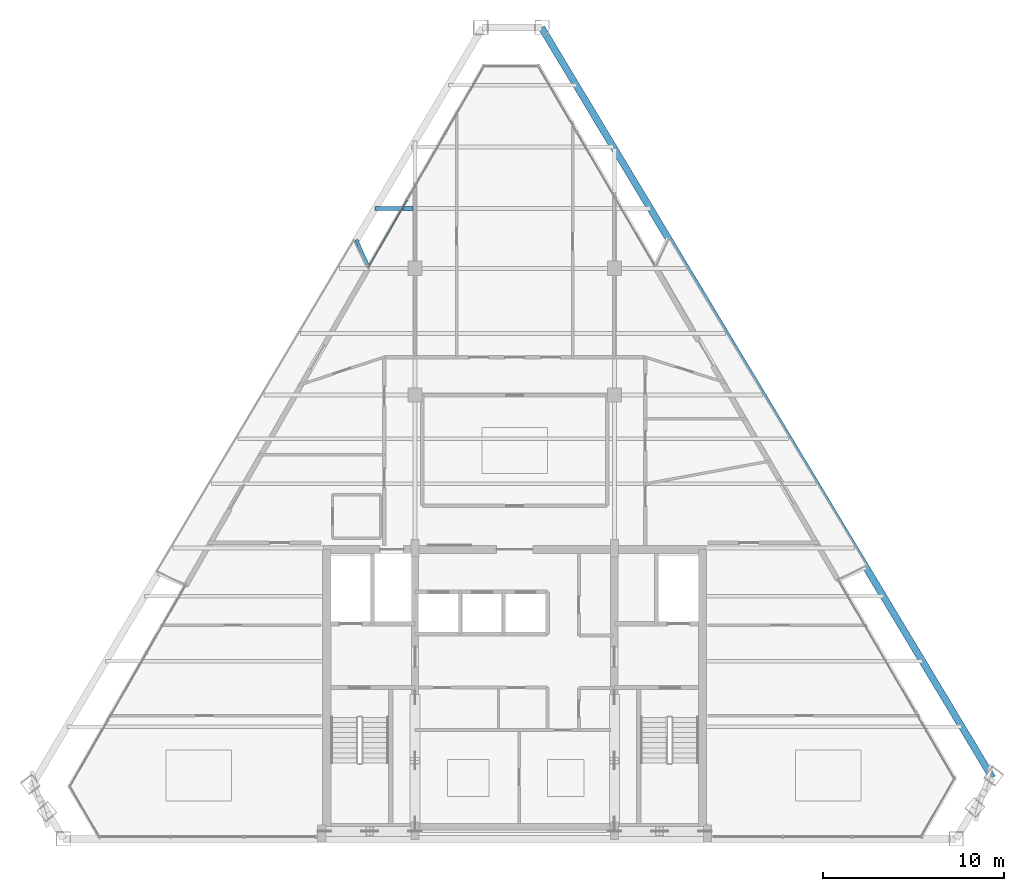
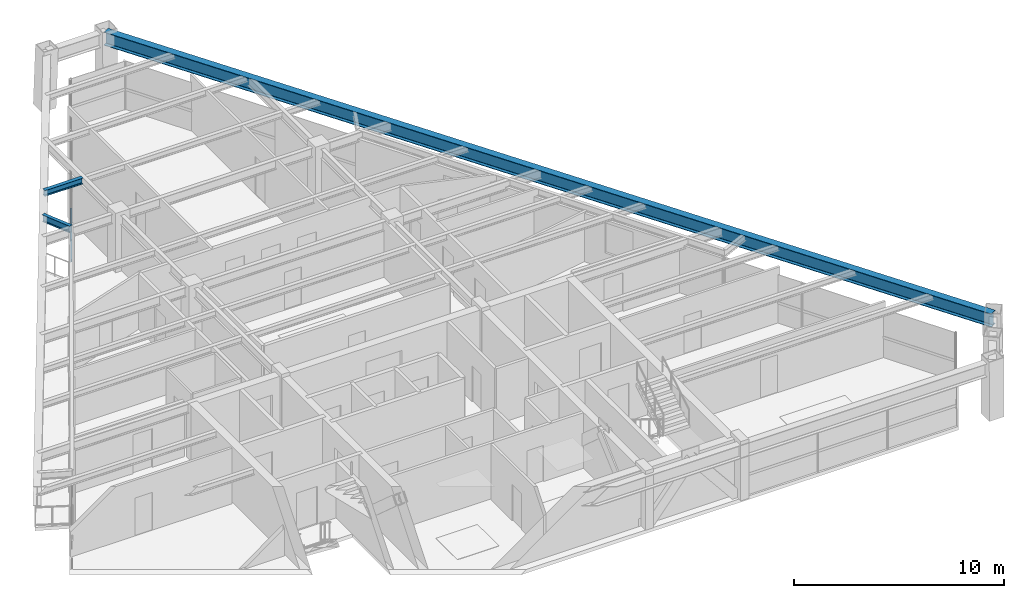
# One storey, part 6 of 13: 3 beams, 1 member, 1 element without a shape of its own.
"""IFC4 building model written with IfcOpenShell, lengths in metres."""

from ifc_helpers import new_model, si_unit, direction, frame, origin, origin_2d, place, context, subcontext, project, spatial, rectangle, i_section, extrude, source, transform, mapped, material, material_profile, profile_set, type_object, element, aggregate, save


model = new_model("IFC4")

# Units and contexts
model_context = context("Model", 3, precision=1e-05, world=origin(), true_north=direction((0.0, 1.0)))
body_context = subcontext(model_context, "Body", "Model", "MODEL_VIEW")
ifc_project = project(units=[si_unit("LENGTHUNIT", "METRE"), si_unit("AREAUNIT", "SQUARE_METRE"), si_unit("VOLUMEUNIT", "CUBIC_METRE"), si_unit("PLANEANGLEUNIT", "RADIAN"), si_unit("MASSUNIT", "GRAM", prefix="KILO")], contexts=[model_context])

# Site, building, storey
site_placement = place(None, origin())
site = spatial("IfcSite", under=ifc_project, at=site_placement, CompositionType="ELEMENT")
building_placement = place(site_placement, origin())
building = spatial("IfcBuilding", under=site, at=building_placement, Name="Varnakhor Terracotta Tower", CompositionType="ELEMENT")
storey_placement = place(building_placement, frame((0.0, 0.0, 286.800048828125)))
storey = spatial("IfcBuildingStorey", under=building, at=storey_placement, Name="L75", CompositionType="ELEMENT", Elevation=286.800048828125)

# Beams
ifc_material_1 = material(Name="Steel S355", Category="steel")
ifc_material_profile_1 = material_profile(ifc_material_1, i_section(OverallWidth=0.381103515625, OverallDepth=0.77294921875, WebThickness=0.01708984375, FlangeThickness=0.027099609375, FilletRadius=0.01806640625, at=origin_2d()), Name="W30X173")
ifc_profile_set_1 = profile_set([ifc_material_profile_1], Name="Steel S355")
beam_type_1 = type_object("IfcBeamType", Name="BM-W30X173", PredefinedType="BEAM", material=ifc_profile_set_1)
shared_shape_1 = source(origin(), body_context, "Body", "SweptSolid", [
    extrude(i_section(OverallWidth=0.381103515625, OverallDepth=0.77294921875, WebThickness=0.01708984375, FlangeThickness=0.027099609375, FilletRadius=0.01806640625, at=origin_2d()), origin(), (0.0, 0.0, 1.0), 48.318603515625),
])
beam_1_placement = place(storey_placement, frame((26.37353515625, 3.3798828125, 2.853515625), z_axis=(-0.515191822732, 0.857074900922, 0.0), x_axis=(-0.857074900922, -0.515191822732, 0.0)))
element("IfcBeam", 1, at=beam_1_placement, inside=storey, type_object=beam_type_1, Name="L75 Perimeter Spandrel 4", PredefinedType="BEAM", context=body_context, shape_type="MappedRepresentation", body=[
    mapped(shared_shape_1, transform((0.0, 0.0, 0.0), scale=1.0)),
])
ifc_material_profile_2 = material_profile(ifc_material_1, i_section(OverallWidth=0.202880859375, OverallDepth=0.346923828125, WebThickness=0.0078125, FlangeThickness=0.013427734375, FilletRadius=0.01806640625, at=origin_2d()), Name="W14X43")
ifc_profile_set_2 = profile_set([ifc_material_profile_2], Name="Steel S355")
beam_type_2 = type_object("IfcBeamType", Name="JST-W14X43", PredefinedType="JOIST", material=ifc_profile_set_2)
shared_shape_2 = source(origin(), body_context, "Body", "SweptSolid", [
    extrude(i_section(OverallWidth=0.202880859375, OverallDepth=0.346923828125, WebThickness=0.0078125, FlangeThickness=0.013427734375, FilletRadius=0.01806640625, at=origin_2d()), origin(), (0.0, 0.0, 1.0), 2.1083984375),
])
beam_2_placement = place(storey_placement, frame((-7.71142578125, 34.800048828125, 3.06640625), z_axis=(1.0, 0.0, 0.0), x_axis=(0.0, 1.0, 0.0)))
element("IfcBeam", 2, at=beam_2_placement, inside=storey, type_object=beam_type_2, Name="L75 Composite Floor Joist 7-1", PredefinedType="JOIST", context=body_context, shape_type="MappedRepresentation", body=[
    mapped(shared_shape_2, transform((0.0, 0.0, 0.0), scale=1.0)),
])

# Curtain wall, member
ifc_material_2 = material(Name="Anodised Aluminium Curtain Wall System", Category="aluminium")
curtain_wall_type = type_object("IfcCurtainWallType", Name="CW-SYS-HOTEL-LOGGIA", PredefinedType="NOTDEFINED", material=ifc_material_2)
curtain_wall_placement = place(storey_placement, origin())
curtain_wall = element("IfcCurtainWall", 3, at=curtain_wall_placement, inside=storey, type_object=curtain_wall_type, Name="L75 W Facet Curtain Wall 2", PredefinedType="NOTDEFINED")
ifc_material_3 = material(Name="Anodised Aluminium 6063-T6", Category="aluminium")
ifc_material_profile_3 = material_profile(ifc_material_3, rectangle(XDim=0.06494140625, YDim=0.14501953125, at=origin_2d()), Name="ALU TRANSOM 65x145")
ifc_profile_set_3 = profile_set([ifc_material_profile_3], Name="Anodised Aluminium 6063-T6")
member_type = type_object("IfcMemberType", Name="CWT-04", PredefinedType="USERDEFINED", material=ifc_profile_set_3)
shared_shape_3 = source(origin(), body_context, "Body", "SweptSolid", [
    extrude(rectangle(XDim=0.06494140625, YDim=0.14501953125, at=origin_2d()), origin(), (0.0, 0.0, 1.0), 4.2724609375),
])
member_placement = place(storey_placement, frame((-8.0625, 31.572021484375, 1.184326171875), z_axis=(0.498500110607, 0.866889635262, 0.0), x_axis=(-0.866889635262, 0.498500110607, 0.0)))
member = element("IfcMember", 4, at=member_placement, type_object=member_type, Name="L75 W Facet Curtain Wall 2 Transom 1", ObjectType="TRANSOM", PredefinedType="USERDEFINED", context=body_context, shape_type="MappedRepresentation", body=[
    mapped(shared_shape_3, transform((0.0, 0.0, 0.0), scale=1.0)),
])
aggregate(curtain_wall, [member])

# Beam
ifc_material_profile_4 = material_profile(ifc_material_1, i_section(OverallWidth=0.179931640625, OverallDepth=0.39990234375, WebThickness=0.008544921875, FlangeThickness=0.013427734375, FilletRadius=0.01806640625, at=origin_2d()), Name="IPE400")
ifc_profile_set_4 = profile_set([ifc_material_profile_4], Name="Steel S355")
beam_type_3 = type_object("IfcBeamType", Name="JST-IPE400", PredefinedType="JOIST", material=ifc_profile_set_4)
shared_shape_4 = source(origin(), body_context, "Body", "SweptSolid", [
    extrude(i_section(OverallWidth=0.179931640625, OverallDepth=0.39990234375, WebThickness=0.008544921875, FlangeThickness=0.013427734375, FilletRadius=0.01806640625, at=origin_2d()), origin(), (0.0, 0.0, 1.0), 1.63916015625),
])
beam_3_placement = place(storey_placement, frame((-8.07177734375, 31.572998046875, 3.0400390625), z_axis=(-0.407947986933, 0.913005169732, 0.0), x_axis=(-0.913005169732, -0.407947986933, 0.0)))
element("IfcBeam", 5, at=beam_3_placement, inside=storey, type_object=beam_type_3, Name="L76 W Loggia Tie Beam 2", PredefinedType="JOIST", context=body_context, shape_type="MappedRepresentation", body=[
    mapped(shared_shape_4, transform((0.0, 0.0, 0.0), scale=1.0)),
])

save(model, "model.ifc")
